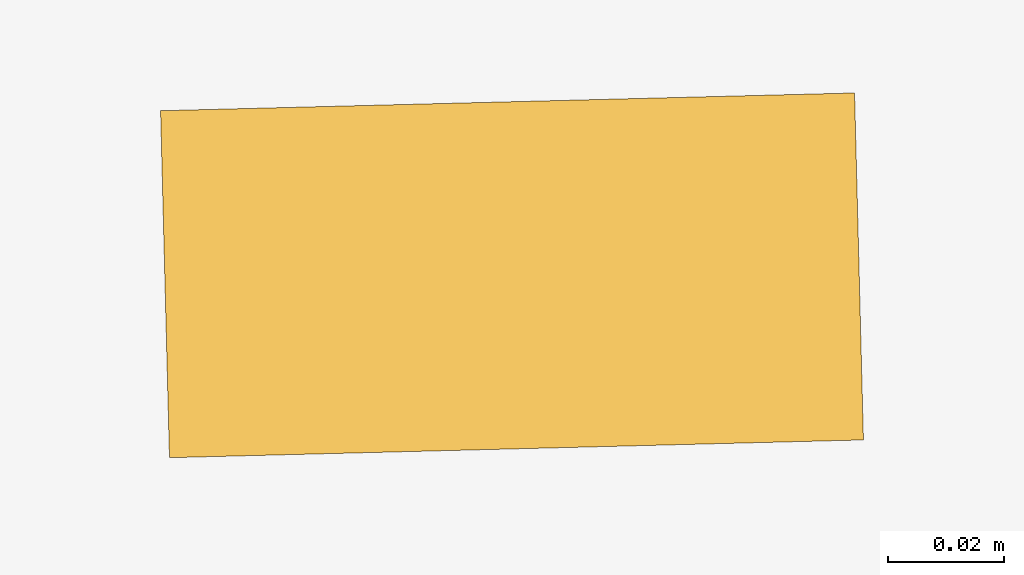
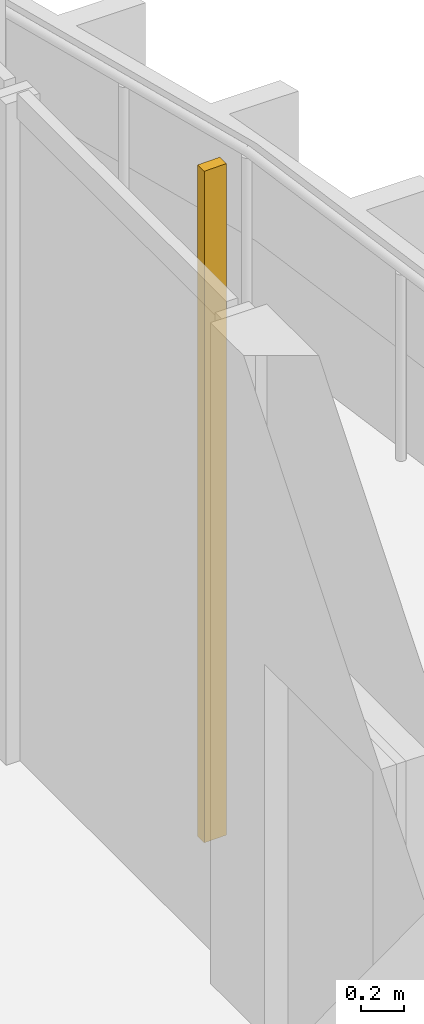
# One storey, part 25 of 27: 1 shading device.
"""IFC4 building model written with IfcOpenShell, lengths in metres."""

from ifc_helpers import new_model, si_unit, direction, frame, origin, origin_2d, place, context, subcontext, project, spatial, rectangle, extrude, source, transform, mapped, material, material_profile, profile_set, type_object, element, save


model = new_model("IFC4")

# Units and contexts
model_context = context("Model", 3, precision=1e-05, world=origin(), true_north=direction((0.0, 1.0)))
body_context = subcontext(model_context, "Body", "Model", "MODEL_VIEW")
ifc_project = project(units=[si_unit("LENGTHUNIT", "METRE"), si_unit("AREAUNIT", "SQUARE_METRE"), si_unit("VOLUMEUNIT", "CUBIC_METRE"), si_unit("PLANEANGLEUNIT", "RADIAN"), si_unit("MASSUNIT", "GRAM", prefix="KILO")], contexts=[model_context])

# Site, building, storey
site_placement = place(None, origin())
site = spatial("IfcSite", under=ifc_project, at=site_placement, CompositionType="ELEMENT")
building_placement = place(site_placement, origin())
building = spatial("IfcBuilding", under=site, at=building_placement, Name="Kilnfold Tower and Market Hall", CompositionType="ELEMENT")
storey_placement = place(building_placement, frame((0.0, 0.0, 51.0)))
storey = spatial("IfcBuildingStorey", under=building, at=storey_placement, Name="L11", CompositionType="ELEMENT", Elevation=51.0)

# Shading device
ifc_material = material(Name="Terracotta", Category="masonry")
ifc_material_profile = material_profile(ifc_material, rectangle(XDim=0.06005859375, YDim=0.1201171875, at=origin_2d()), Name="BAG 60x120")
ifc_profile_set = profile_set([ifc_material_profile], Name="Terracotta")
shading_device_type = type_object("IfcShadingDeviceType", Name="BAGUETTE", PredefinedType="USERDEFINED", material=ifc_profile_set)
shared_shape = source(origin(), body_context, "Body", "SweptSolid", [
    extrude(rectangle(XDim=0.06005859375, YDim=0.1201171875, at=origin_2d()), origin(), (0.0, 0.0, 1.0), 3.780029296875),
])
shading_device_placement = place(storey_placement, frame((28.300048828125, 2.47509765625, 0.0), z_axis=(0.0, 0.0, 1.0), x_axis=(-0.025590714167, 0.999672504047, 0.0)))
element("IfcShadingDevice", 1, at=shading_device_placement, inside=storey, type_object=shading_device_type, Name="Terracotta baguette L11 E", ObjectType="BAGUETTE", PredefinedType="USERDEFINED", context=body_context, shape_type="MappedRepresentation", body=[
    mapped(shared_shape, transform((0.0, 0.0, 0.0))),
])

save(model, "model.ifc")
